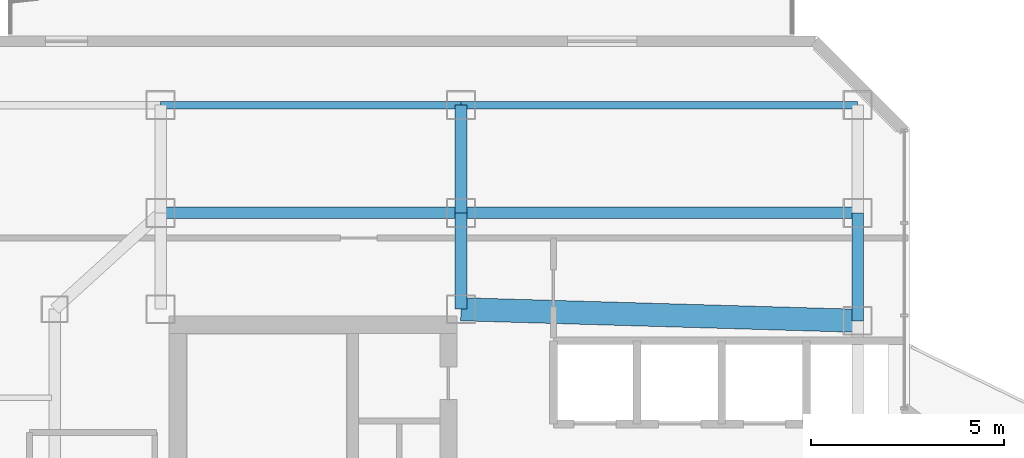
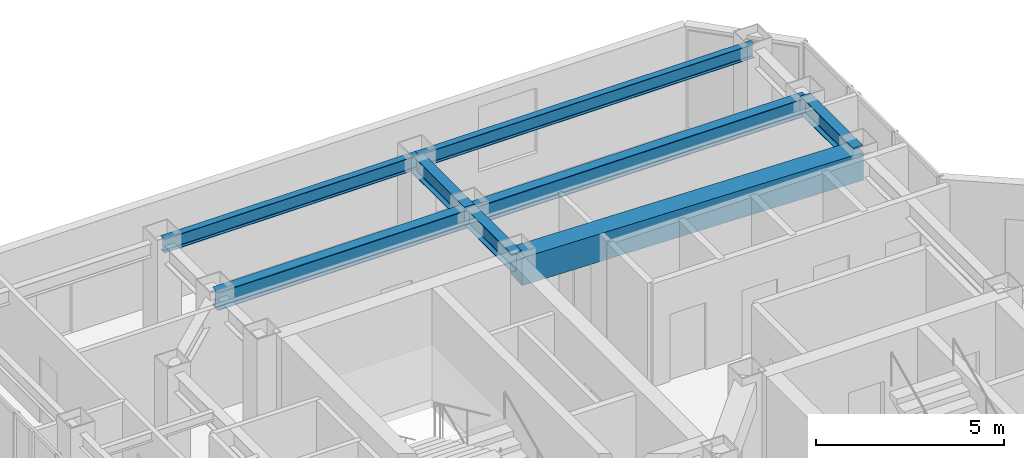
# One storey, part 16 of 26: 8 beams.
"""IFC4 building model written with IfcOpenShell, lengths in metres."""

import ifcopenshell
import ifcopenshell.guid

model = None  # the IFC model being written
_history = None  # IfcOwnerHistory: only IFC2X3 demands one
_inside = {}  # id of a spatial element -> (the spatial element, [elements in it])
_under = {}  # id of a project, library or spatial element -> (it, [spatial elements below it])
_declared = {}  # id of a project -> (the project, [libraries it declares])
_typed = {}  # id of a type object -> (the type object, [elements of that type])
_made_of = {}  # id of a material, layer set ... -> (it, [elements and type objects made of it])


def new_model(schema):
    """Start an empty IFC model of exactly this schema.

    Asked for "IFC4X3", IfcOpenShell would pick the latest addendum, in which some entities
    have other attributes; the version numbers below select the first issue.
    IFC2X3 requires an IfcOwnerHistory on every rooted entity: one is made here for all.
    """
    global model, _history
    if schema == "IFC4X3":
        model = ifcopenshell.file(schema_version=(4, 3, 0, 0))
    else:
        model = ifcopenshell.file(schema=schema)
    _inside.clear()
    _under.clear()
    _declared.clear()
    _typed.clear()
    _made_of.clear()
    _history = None
    if model.schema == "IFC2X3":
        org = make("IfcOrganization", Name="unknown")
        user = make(
            "IfcPersonAndOrganization",
            ThePerson=make("IfcPerson", FamilyName="unknown"),
            TheOrganization=org,
        )
        app = make(
            "IfcApplication",
            ApplicationDeveloper=org,
            Version="unknown",
            ApplicationFullName="unknown",
            ApplicationIdentifier="unknown",
        )
        _history = make(
            "IfcOwnerHistory",
            OwningUser=user,
            OwningApplication=app,
            ChangeAction="ADDED",
            CreationDate=0,
        )
    return model


def make(cls, **values):
    """One entity of the class cls with the attributes given. An attribute that is None is left unset."""
    return model.create_entity(
        cls, **{name: value for name, value in values.items() if value is not None}
    )


def rooted(cls, **values):
    """An entity with a GlobalId (a new one), such as an element, a storey or a relation."""
    return make(cls, GlobalId=ifcopenshell.guid.new(), OwnerHistory=_history, **values)


def si_unit(unit_type, name, prefix=None):
    """IfcSIUnit, for example si_unit("LENGTHUNIT", "METRE", prefix="MILLI")."""
    return make("IfcSIUnit", UnitType=unit_type, Prefix=prefix, Name=name)


def assignment(units):
    """IfcUnitAssignment: the units of a project."""
    return None if units is None else make("IfcUnitAssignment", Units=units)


def point(xyz):
    """IfcCartesianPoint."""
    return None if xyz is None else make("IfcCartesianPoint", Coordinates=xyz)


def direction(xyz):
    """IfcDirection."""
    return None if xyz is None else make("IfcDirection", DirectionRatios=xyz)


def frame(location, z_axis=None, x_axis=None):
    """IfcAxis2Placement3D, a coordinate frame: its origin and axes. An axis left out is left unset."""
    return make(
        "IfcAxis2Placement3D",
        Location=point(location),
        Axis=direction(z_axis),
        RefDirection=direction(x_axis),
    )


def frame_2d(location, x_axis=None):
    """IfcAxis2Placement2D, a coordinate frame in the plane: its origin and x axis."""
    return make(
        "IfcAxis2Placement2D", Location=point(location), RefDirection=direction(x_axis)
    )


def origin():
    """The frame at (0, 0, 0) with its axes left unset."""
    return frame((0.0, 0.0, 0.0))


def origin_2d():
    """The frame at (0, 0) in the plane with its x axis left unset."""
    return frame_2d((0.0, 0.0))


def place(relative_to, where):
    """IfcLocalPlacement: puts the frame where relative to a parent placement (None: the world)."""
    return make(
        "IfcLocalPlacement", PlacementRelTo=relative_to, RelativePlacement=where
    )


def context(
    kind, dimensions, precision=None, world=None, true_north=None, identifier=None
):
    """IfcGeometricRepresentationContext, for example the 3D "Model" context."""
    return make(
        "IfcGeometricRepresentationContext",
        ContextIdentifier=identifier,
        ContextType=kind,
        CoordinateSpaceDimension=dimensions,
        Precision=precision,
        WorldCoordinateSystem=world,
        TrueNorth=true_north,
    )


def subcontext(parent, identifier, kind, view, scale=None):
    """IfcGeometricRepresentationSubContext, for example "Body" below "Model"."""
    return make(
        "IfcGeometricRepresentationSubContext",
        ContextIdentifier=identifier,
        ContextType=kind,
        ParentContext=parent,
        TargetScale=scale,
        TargetView=view,
    )


def project(units=None, contexts=None):
    """IfcProject with its units and contexts."""
    return rooted(
        "IfcProject",
        Name="project",
        RepresentationContexts=contexts,
        UnitsInContext=assignment(units),
    )


def spatial(cls, under=None, at=None, **own):
    """A site, building, storey or space (cls), placed at a placement, below another one or the project."""
    s = rooted(cls, ObjectPlacement=at, **own)
    if under is not None:
        _under.setdefault(under.id(), (under, []))[1].append(s)
    return s


def profile(cls, at=None, kind="AREA", **sizes):
    """A parametric profile (cls). Its sizes go by their IFC names, for example OverallWidth=200.0."""
    return make(cls, ProfileType=kind, Position=at, **sizes)


def rectangle(**sizes):
    """IfcRectangleProfileDef."""
    return profile("IfcRectangleProfileDef", **sizes)


def i_section(**sizes):
    """IfcIShapeProfileDef."""
    return profile("IfcIShapeProfileDef", **sizes)


def extrude(swept, where, along, depth):
    """IfcExtrudedAreaSolid: the profile swept, set in the frame where, extruded along a direction by depth."""
    return make(
        "IfcExtrudedAreaSolid",
        SweptArea=swept,
        Position=where,
        ExtrudedDirection=direction(along),
        Depth=depth,
    )


def shape(context_of_items, identifier, shape_type, items):
    """IfcShapeRepresentation: the items that make up one representation, for example the "Body"."""
    return make(
        "IfcShapeRepresentation",
        ContextOfItems=context_of_items,
        RepresentationIdentifier=identifier,
        RepresentationType=shape_type,
        Items=items,
    )


def material(Name=None, Category=None):
    """IfcMaterial."""
    return make("IfcMaterial", Name=Name, Category=Category)


def material_profile(
    of_material, cross_section, Name=None, Category=None, Priority=None
):
    """IfcMaterialProfile: a cross section and its material."""
    return make(
        "IfcMaterialProfile",
        Name=Name,
        Material=of_material,
        Profile=cross_section,
        Priority=Priority,
        Category=Category,
    )


def profile_set(profiles, Name=None, composite=None):
    """IfcMaterialProfileSet."""
    return make(
        "IfcMaterialProfileSet",
        Name=Name,
        MaterialProfiles=profiles,
        CompositeProfile=composite,
    )


def made_of(thing, what):
    """Note that an element or type object is made of a material, layer set ...; save() writes the relation."""
    if what is not None:
        _made_of.setdefault(what.id(), (what, []))[1].append(thing)
    return thing


def type_object(cls, material=None, **own):
    """A type object (cls), such as IfcWallType, which elements share."""
    return made_of(rooted(cls, **own), material)


def element(
    cls,
    number,
    at=None,
    inside=None,
    cuts=None,
    type_object=None,
    material=None,
    context=None,
    identifier="Body",
    shape_type=None,
    held_by="IfcProductDefinitionShape",
    body=None,
    shapes=None,
    **own,
):
    """One element of the class cls, such as IfcWall. Its Tag is "e" and its number.

    at: its placement. inside: the storey or other place that contains it. cuts: it is an
    opening in that element (IfcRelVoidsElement). A single representation is given by context,
    identifier, shape_type and body (its items); several are given by shapes. held_by: the class
    of the entity that holds the representations. save() writes the other relations.
    """
    e = rooted(cls, Tag="e%d" % number, ObjectPlacement=at, **own)
    if body is not None:
        shapes = [shape(context, identifier, shape_type, body)]
    if shapes is not None:
        e.Representation = make(held_by, Representations=shapes)
    if inside is not None:
        _inside.setdefault(inside.id(), (inside, []))[1].append(e)
    if cuts is not None:
        rooted(
            "IfcRelVoidsElement", RelatingBuildingElement=cuts, RelatedOpeningElement=e
        )
    if type_object is not None:
        _typed.setdefault(type_object.id(), (type_object, []))[1].append(e)
    return made_of(e, material)


def aggregate(whole, parts):
    """IfcRelAggregates: a whole, such as a stair, and the parts it consists of."""
    return rooted("IfcRelAggregates", RelatingObject=whole, RelatedObjects=parts)


def save(model, path):
    """Write the relations noted so far, then the file.

    IfcRelAggregates (storeys below a building ...), IfcRelContainedInSpatialStructure (elements
    in a storey), IfcRelDefinesByType, IfcRelAssociatesMaterial and IfcRelDeclares: one each for
    every whole, place, type object, material and project.
    """
    for whole, parts in _under.values():
        aggregate(whole, parts)
    for where, things in _inside.values():
        rooted(
            "IfcRelContainedInSpatialStructure",
            RelatedElements=things,
            RelatingStructure=where,
        )
    for kind, things in _typed.values():
        rooted("IfcRelDefinesByType", RelatedObjects=things, RelatingType=kind)
    for what, things in _made_of.values():
        rooted("IfcRelAssociatesMaterial", RelatedObjects=things, RelatingMaterial=what)
    for by, libraries in _declared.values():
        rooted("IfcRelDeclares", RelatingContext=by, RelatedDefinitions=libraries)
    model.write(path)


model = new_model("IFC4")

# Units and contexts
model_context = context("Model", 3, precision=1e-05, world=origin(), true_north=direction((0.0, 1.0)))
body_context = subcontext(model_context, "Body", "Model", "MODEL_VIEW")
ifc_project = project(units=[si_unit("LENGTHUNIT", "METRE"), si_unit("AREAUNIT", "SQUARE_METRE"), si_unit("VOLUMEUNIT", "CUBIC_METRE"), si_unit("PLANEANGLEUNIT", "RADIAN"), si_unit("MASSUNIT", "GRAM", prefix="KILO")], contexts=[model_context])

# Site, building, storey
site_placement = place(None, origin())
site = spatial("IfcSite", under=ifc_project, at=site_placement, CompositionType="ELEMENT")
building_placement = place(site_placement, origin())
building = spatial("IfcBuilding", under=site, at=building_placement, Name="Hatsunagi Terrace Concourse", CompositionType="ELEMENT")
storey_placement = place(building_placement, frame((0.0, 0.0, 198.75)))
storey = spatial("IfcBuildingStorey", under=building, at=storey_placement, Name="L52", CompositionType="ELEMENT", Elevation=198.75)

# Beams
ifc_material_1 = material(Name="Concrete Fc42", Category="concrete")
ifc_material_profile_1 = material_profile(ifc_material_1, rectangle(XDim=0.60009765625, YDim=0.89990234375, at=origin_2d()), Name="RC-600x900")
ifc_profile_set_1 = profile_set([ifc_material_profile_1], Name="Concrete Fc42")
beam_type_1 = type_object("IfcBeamType", Name="CoreCouplingBeam_RC_600x900", PredefinedType="BEAM", material=ifc_profile_set_1)
beam_1_placement = place(storey_placement, frame((33.35009765625, 43.300048828125, 2.89990234375), z_axis=(0.999575947545, -0.029119153303, 0.0), x_axis=(0.029119153303, 0.999575947545, 0.0)))
element("IfcBeam", 1, at=beam_1_placement, inside=storey, type_object=beam_type_1, Name="Beam CB-03 CB-L52-2", PredefinedType="BEAM", context=body_context, shape_type="SweptSolid", body=[
    extrude(rectangle(XDim=0.60009765625, YDim=0.89990234375, at=origin_2d()), origin(), (0.0, 0.0, 1.0), 10.30419921875),
])
ifc_material_2 = material(Name="Steel SN490B", Category="steel")
ifc_material_profile_2 = material_profile(ifc_material_2, i_section(OverallWidth=0.300048828125, OverallDepth=0.587890625, WebThickness=0.011962890625, FlangeThickness=0.02001953125, FilletRadius=0.01806640625, at=origin_2d()), Name="H-588x300x12x20")
ifc_profile_set_2 = profile_set([ifc_material_profile_2], Name="Steel SN490B")
beam_type_2 = type_object("IfcBeamType", Name="OfficeHighGirder_H_588x300", PredefinedType="BEAM", material=ifc_profile_set_2)
beam_2_placement = place(storey_placement, frame((33.35009765625, 43.300048828125, 3.055908203125), z_axis=(0.0, 1.0, 0.0), x_axis=(-1.0, 0.0, 0.0)))
element("IfcBeam", 2, at=beam_2_placement, inside=storey, type_object=beam_type_2, Name="Beam G-06 BM-L52-CN2", PredefinedType="BEAM", context=body_context, shape_type="SweptSolid", body=[
    extrude(i_section(OverallWidth=0.300048828125, OverallDepth=0.587890625, WebThickness=0.011962890625, FlangeThickness=0.02001953125, FilletRadius=0.01806640625, at=origin_2d()), origin(), (0.0, 0.0, 1.0), 2.5),
])
beam_3_placement = place(storey_placement, frame((43.64990234375, 43.0, 3.055908203125), z_axis=(0.0, 1.0, 0.0), x_axis=(-1.0, 0.0, 0.0)))
element("IfcBeam", 3, at=beam_3_placement, inside=storey, type_object=beam_type_2, Name="Beam G-06 BM-L52-CN3", PredefinedType="BEAM", context=body_context, shape_type="SweptSolid", body=[
    extrude(i_section(OverallWidth=0.300048828125, OverallDepth=0.587890625, WebThickness=0.011962890625, FlangeThickness=0.02001953125, FilletRadius=0.01806640625, at=origin_2d()), origin(), (0.0, 0.0, 1.0), 2.800048828125),
])
beam_4_placement = place(storey_placement, frame((25.550048828125, 45.800048828125, 3.055908203125), z_axis=(1.0, 0.0, 0.0), x_axis=(0.0, 1.0, 0.0)))
element("IfcBeam", 4, at=beam_4_placement, inside=storey, type_object=beam_type_2, Name="Beam G-06 BM-L52-CNEW1", PredefinedType="BEAM", context=body_context, shape_type="SweptSolid", body=[
    extrude(i_section(OverallWidth=0.300048828125, OverallDepth=0.587890625, WebThickness=0.011962890625, FlangeThickness=0.02001953125, FilletRadius=0.01806640625, at=origin_2d()), origin(), (0.0, 0.0, 1.0), 7.800048828125),
])
beam_5_placement = place(storey_placement, frame((33.35009765625, 45.800048828125, 3.055908203125), z_axis=(1.0, 0.0, 0.0), x_axis=(0.0, 1.0, 0.0)))
element("IfcBeam", 5, at=beam_5_placement, inside=storey, type_object=beam_type_2, Name="Beam G-06 BM-L52-CNEW2", PredefinedType="BEAM", context=body_context, shape_type="SweptSolid", body=[
    extrude(i_section(OverallWidth=0.300048828125, OverallDepth=0.587890625, WebThickness=0.011962890625, FlangeThickness=0.02001953125, FilletRadius=0.01806640625, at=origin_2d()), origin(), (0.0, 0.0, 1.0), 10.2998046875),
])
beam_6_placement = place(storey_placement, frame((33.35009765625, 45.800048828125, 3.055908203125), z_axis=(0.0, 1.0, 0.0), x_axis=(-1.0, 0.0, 0.0)))
element("IfcBeam", 6, at=beam_6_placement, inside=storey, type_object=beam_type_2, Name="Beam G-06 BM-L52-KN-WN5", PredefinedType="BEAM", context=body_context, shape_type="SweptSolid", body=[
    extrude(i_section(OverallWidth=0.300048828125, OverallDepth=0.587890625, WebThickness=0.011962890625, FlangeThickness=0.02001953125, FilletRadius=0.01806640625, at=origin_2d()), origin(), (0.0, 0.0, 1.0), 2.800048828125),
])
ifc_material_3 = material(Name="Steel SN490B", Category="steel")
ifc_material_profile_3 = material_profile(ifc_material_3, i_section(OverallWidth=0.199951171875, OverallDepth=0.449951171875, WebThickness=0.009033203125, FlangeThickness=0.013916015625, FilletRadius=0.01611328125, at=origin_2d()), Name="H-450x200x9x14")
ifc_profile_set_3 = profile_set([ifc_material_profile_3], Name="Steel SN490B")
beam_type_3 = type_object("IfcBeamType", Name="PerimeterSpandrel_H_450x200", PredefinedType="SPANDREL", material=ifc_profile_set_3)
beam_7_placement = place(storey_placement, frame((25.550048828125, 48.60009765625, 3.125), z_axis=(1.0, 0.0, 0.0), x_axis=(0.0, 1.0, 0.0)))
element("IfcBeam", 7, at=beam_7_placement, inside=storey, type_object=beam_type_3, Name="Beam SP-02 BM-L52-WN-25", PredefinedType="SPANDREL", context=body_context, shape_type="SweptSolid", body=[
    extrude(i_section(OverallWidth=0.199951171875, OverallDepth=0.449951171875, WebThickness=0.009033203125, FlangeThickness=0.013916015625, FilletRadius=0.01611328125, at=origin_2d()), origin(), (0.0, 0.0, 1.0), 7.800048828125),
])
beam_8_placement = place(storey_placement, frame((33.35009765625, 48.60009765625, 3.125), z_axis=(1.0, 0.0, 0.0), x_axis=(0.0, 1.0, 0.0)))
element("IfcBeam", 8, at=beam_8_placement, inside=storey, type_object=beam_type_3, Name="Beam SP-02 BM-L52-WN-33", PredefinedType="SPANDREL", context=body_context, shape_type="SweptSolid", body=[
    extrude(i_section(OverallWidth=0.199951171875, OverallDepth=0.449951171875, WebThickness=0.009033203125, FlangeThickness=0.013916015625, FilletRadius=0.01611328125, at=origin_2d()), origin(), (0.0, 0.0, 1.0), 10.2998046875),
])

save(model, "model.ifc")
